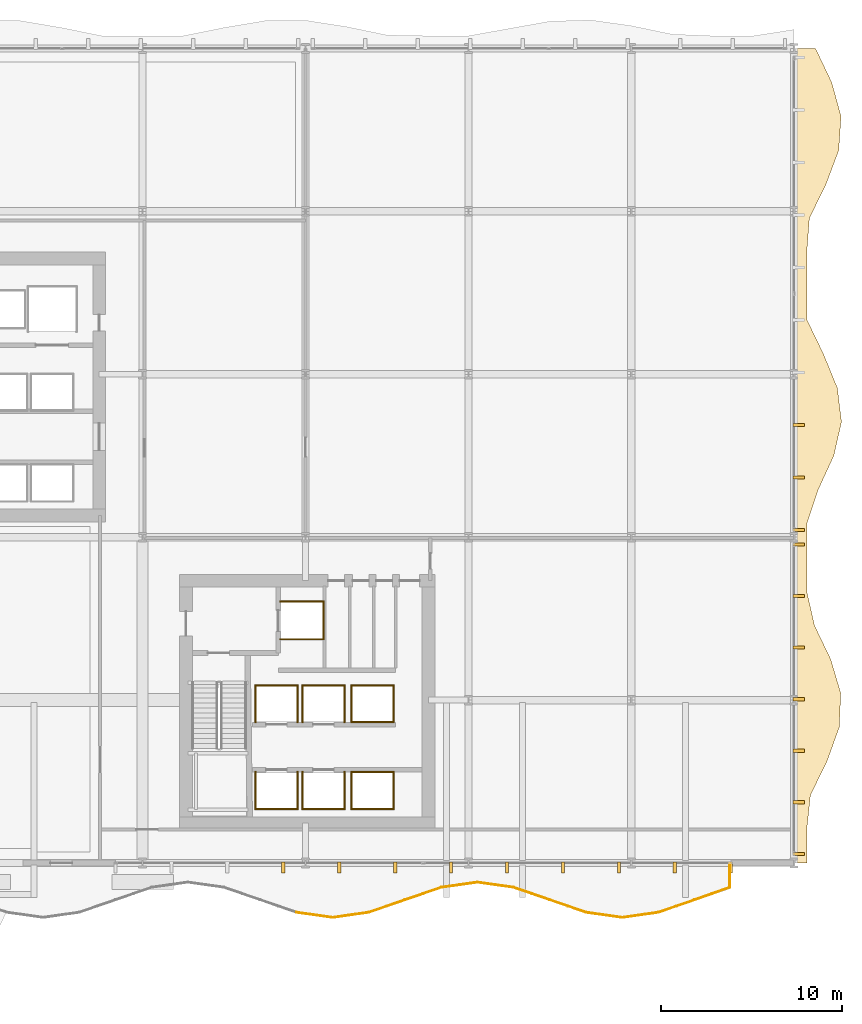
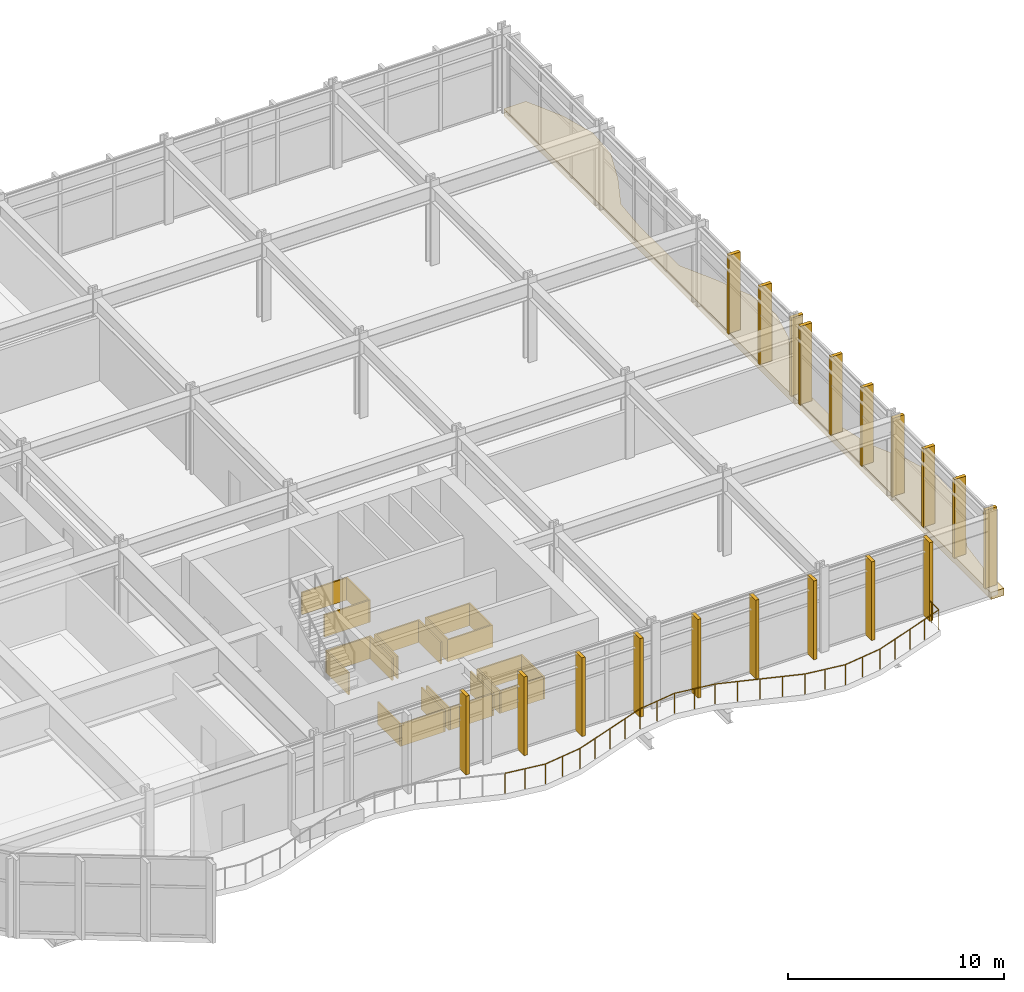
# One storey, part 28 of 31: 43 coverings, 13 railings.
"""IFC4 building model written with IfcOpenShell, lengths in metres."""

import ifcopenshell
import ifcopenshell.guid

model = None  # the IFC model being written
_history = None  # IfcOwnerHistory: only IFC2X3 demands one
_inside = {}  # id of a spatial element -> (the spatial element, [elements in it])
_under = {}  # id of a project, library or spatial element -> (it, [spatial elements below it])
_declared = {}  # id of a project -> (the project, [libraries it declares])
_typed = {}  # id of a type object -> (the type object, [elements of that type])
_made_of = {}  # id of a material, layer set ... -> (it, [elements and type objects made of it])


def new_model(schema):
    """Start an empty IFC model of exactly this schema.

    Asked for "IFC4X3", IfcOpenShell would pick the latest addendum, in which some entities
    have other attributes; the version numbers below select the first issue.
    IFC2X3 requires an IfcOwnerHistory on every rooted entity: one is made here for all.
    """
    global model, _history
    if schema == "IFC4X3":
        model = ifcopenshell.file(schema_version=(4, 3, 0, 0))
    else:
        model = ifcopenshell.file(schema=schema)
    _inside.clear()
    _under.clear()
    _declared.clear()
    _typed.clear()
    _made_of.clear()
    _history = None
    if model.schema == "IFC2X3":
        org = make("IfcOrganization", Name="unknown")
        user = make(
            "IfcPersonAndOrganization",
            ThePerson=make("IfcPerson", FamilyName="unknown"),
            TheOrganization=org,
        )
        app = make(
            "IfcApplication",
            ApplicationDeveloper=org,
            Version="unknown",
            ApplicationFullName="unknown",
            ApplicationIdentifier="unknown",
        )
        _history = make(
            "IfcOwnerHistory",
            OwningUser=user,
            OwningApplication=app,
            ChangeAction="ADDED",
            CreationDate=0,
        )
    return model


def make(cls, **values):
    """One entity of the class cls with the attributes given. An attribute that is None is left unset."""
    return model.create_entity(
        cls, **{name: value for name, value in values.items() if value is not None}
    )


def rooted(cls, **values):
    """An entity with a GlobalId (a new one), such as an element, a storey or a relation."""
    return make(cls, GlobalId=ifcopenshell.guid.new(), OwnerHistory=_history, **values)


def si_unit(unit_type, name, prefix=None):
    """IfcSIUnit, for example si_unit("LENGTHUNIT", "METRE", prefix="MILLI")."""
    return make("IfcSIUnit", UnitType=unit_type, Prefix=prefix, Name=name)


def assignment(units):
    """IfcUnitAssignment: the units of a project."""
    return None if units is None else make("IfcUnitAssignment", Units=units)


def point(xyz):
    """IfcCartesianPoint."""
    return None if xyz is None else make("IfcCartesianPoint", Coordinates=xyz)


def direction(xyz):
    """IfcDirection."""
    return None if xyz is None else make("IfcDirection", DirectionRatios=xyz)


def frame(location, z_axis=None, x_axis=None):
    """IfcAxis2Placement3D, a coordinate frame: its origin and axes. An axis left out is left unset."""
    return make(
        "IfcAxis2Placement3D",
        Location=point(location),
        Axis=direction(z_axis),
        RefDirection=direction(x_axis),
    )


def frame_2d(location, x_axis=None):
    """IfcAxis2Placement2D, a coordinate frame in the plane: its origin and x axis."""
    return make(
        "IfcAxis2Placement2D", Location=point(location), RefDirection=direction(x_axis)
    )


def origin():
    """The frame at (0, 0, 0) with its axes left unset."""
    return frame((0.0, 0.0, 0.0))


def origin_2d():
    """The frame at (0, 0) in the plane with its x axis left unset."""
    return frame_2d((0.0, 0.0))


def place(relative_to, where):
    """IfcLocalPlacement: puts the frame where relative to a parent placement (None: the world)."""
    return make(
        "IfcLocalPlacement", PlacementRelTo=relative_to, RelativePlacement=where
    )


def context(
    kind, dimensions, precision=None, world=None, true_north=None, identifier=None
):
    """IfcGeometricRepresentationContext, for example the 3D "Model" context."""
    return make(
        "IfcGeometricRepresentationContext",
        ContextIdentifier=identifier,
        ContextType=kind,
        CoordinateSpaceDimension=dimensions,
        Precision=precision,
        WorldCoordinateSystem=world,
        TrueNorth=true_north,
    )


def subcontext(parent, identifier, kind, view, scale=None):
    """IfcGeometricRepresentationSubContext, for example "Body" below "Model"."""
    return make(
        "IfcGeometricRepresentationSubContext",
        ContextIdentifier=identifier,
        ContextType=kind,
        ParentContext=parent,
        TargetScale=scale,
        TargetView=view,
    )


def project(units=None, contexts=None):
    """IfcProject with its units and contexts."""
    return rooted(
        "IfcProject",
        Name="project",
        RepresentationContexts=contexts,
        UnitsInContext=assignment(units),
    )


def spatial(cls, under=None, at=None, **own):
    """A site, building, storey or space (cls), placed at a placement, below another one or the project."""
    s = rooted(cls, ObjectPlacement=at, **own)
    if under is not None:
        _under.setdefault(under.id(), (under, []))[1].append(s)
    return s


def polyline(points):
    """IfcPolyline through the points."""
    return make("IfcPolyline", Points=[point(p) for p in points])


def profile(cls, at=None, kind="AREA", **sizes):
    """A parametric profile (cls). Its sizes go by their IFC names, for example OverallWidth=200.0."""
    return make(cls, ProfileType=kind, Position=at, **sizes)


def rectangle(**sizes):
    """IfcRectangleProfileDef."""
    return profile("IfcRectangleProfileDef", **sizes)


def circle(**sizes):
    """IfcCircleProfileDef."""
    return profile("IfcCircleProfileDef", **sizes)


def outline(outer, holes=None, kind="AREA"):
    """IfcArbitraryClosedProfileDef: a profile drawn as a closed curve; with holes, ...WithVoids."""
    if holes is None:
        return make("IfcArbitraryClosedProfileDef", ProfileType=kind, OuterCurve=outer)
    return make(
        "IfcArbitraryProfileDefWithVoids",
        ProfileType=kind,
        OuterCurve=outer,
        InnerCurves=holes,
    )


def extrude(swept, where, along, depth):
    """IfcExtrudedAreaSolid: the profile swept, set in the frame where, extruded along a direction by depth."""
    return make(
        "IfcExtrudedAreaSolid",
        SweptArea=swept,
        Position=where,
        ExtrudedDirection=direction(along),
        Depth=depth,
    )


def shape(context_of_items, identifier, shape_type, items):
    """IfcShapeRepresentation: the items that make up one representation, for example the "Body"."""
    return make(
        "IfcShapeRepresentation",
        ContextOfItems=context_of_items,
        RepresentationIdentifier=identifier,
        RepresentationType=shape_type,
        Items=items,
    )


def material(Name=None, Category=None):
    """IfcMaterial."""
    return make("IfcMaterial", Name=Name, Category=Category)


def layer(
    of_material, thickness, ventilated=None, Name=None, Category=None, Priority=None
):
    """IfcMaterialLayer: one layer of a wall or slab, of a material (None: an air gap)."""
    return make(
        "IfcMaterialLayer",
        Material=of_material,
        LayerThickness=thickness,
        IsVentilated=ventilated,
        Name=Name,
        Category=Category,
        Priority=Priority,
    )


def layer_set(layers, Name=None):
    """IfcMaterialLayerSet."""
    return make("IfcMaterialLayerSet", MaterialLayers=layers, LayerSetName=Name)


def made_of(thing, what):
    """Note that an element or type object is made of a material, layer set ...; save() writes the relation."""
    if what is not None:
        _made_of.setdefault(what.id(), (what, []))[1].append(thing)
    return thing


def type_object(cls, material=None, **own):
    """A type object (cls), such as IfcWallType, which elements share."""
    return made_of(rooted(cls, **own), material)


def element(
    cls,
    number,
    at=None,
    inside=None,
    cuts=None,
    type_object=None,
    material=None,
    context=None,
    identifier="Body",
    shape_type=None,
    held_by="IfcProductDefinitionShape",
    body=None,
    shapes=None,
    **own,
):
    """One element of the class cls, such as IfcWall. Its Tag is "e" and its number.

    at: its placement. inside: the storey or other place that contains it. cuts: it is an
    opening in that element (IfcRelVoidsElement). A single representation is given by context,
    identifier, shape_type and body (its items); several are given by shapes. held_by: the class
    of the entity that holds the representations. save() writes the other relations.
    """
    e = rooted(cls, Tag="e%d" % number, ObjectPlacement=at, **own)
    if body is not None:
        shapes = [shape(context, identifier, shape_type, body)]
    if shapes is not None:
        e.Representation = make(held_by, Representations=shapes)
    if inside is not None:
        _inside.setdefault(inside.id(), (inside, []))[1].append(e)
    if cuts is not None:
        rooted(
            "IfcRelVoidsElement", RelatingBuildingElement=cuts, RelatedOpeningElement=e
        )
    if type_object is not None:
        _typed.setdefault(type_object.id(), (type_object, []))[1].append(e)
    return made_of(e, material)


def aggregate(whole, parts):
    """IfcRelAggregates: a whole, such as a stair, and the parts it consists of."""
    return rooted("IfcRelAggregates", RelatingObject=whole, RelatedObjects=parts)


def save(model, path):
    """Write the relations noted so far, then the file.

    IfcRelAggregates (storeys below a building ...), IfcRelContainedInSpatialStructure (elements
    in a storey), IfcRelDefinesByType, IfcRelAssociatesMaterial and IfcRelDeclares: one each for
    every whole, place, type object, material and project.
    """
    for whole, parts in _under.values():
        aggregate(whole, parts)
    for where, things in _inside.values():
        rooted(
            "IfcRelContainedInSpatialStructure",
            RelatedElements=things,
            RelatingStructure=where,
        )
    for kind, things in _typed.values():
        rooted("IfcRelDefinesByType", RelatedObjects=things, RelatingType=kind)
    for what, things in _made_of.values():
        rooted("IfcRelAssociatesMaterial", RelatedObjects=things, RelatingMaterial=what)
    for by, libraries in _declared.values():
        rooted("IfcRelDeclares", RelatingContext=by, RelatedDefinitions=libraries)
    model.write(path)


model = new_model("IFC4")

# Units and contexts
model_context = context("Model", 3, precision=1e-05, world=origin(), true_north=direction((0.0, 1.0)))
body_context = subcontext(model_context, "Body", "Model", "MODEL_VIEW")
ifc_project = project(units=[si_unit("LENGTHUNIT", "METRE"), si_unit("AREAUNIT", "SQUARE_METRE"), si_unit("VOLUMEUNIT", "CUBIC_METRE"), si_unit("PLANEANGLEUNIT", "RADIAN"), si_unit("MASSUNIT", "GRAM", prefix="KILO")], contexts=[model_context])

# Site, building, storey
site_placement = place(None, origin())
site = spatial("IfcSite", under=ifc_project, at=site_placement, CompositionType="ELEMENT")
building_placement = place(site_placement, origin())
building = spatial("IfcBuilding", under=site, at=building_placement, Name="Solvaryn Broadcast Tower", CompositionType="ELEMENT")
storey_placement = place(building_placement, frame((0.0, 0.0, 26.0)))
storey = spatial("IfcBuildingStorey", under=building, at=storey_placement, Name="L05", CompositionType="ELEMENT", Elevation=26.0)

# Coverings
ifc_material_1 = material(Name="Fire-Rated Gypsum Shaftwall Liner", Category="concrete")
ifc_layer_1 = layer(ifc_material_1, 0.080078125)
ifc_layer_set_1 = layer_set([ifc_layer_1], Name="CV-SHAFT-LINER")
covering_type_1 = type_object("IfcCoveringType", Name="CV-SHAFT-LINER", PredefinedType="CLADDING", material=ifc_layer_set_1)
for number, where, z_axis, x_axis, name in (
    (1, (35.800048828125, 23.43994140625, 0.0), (0.0, 0.0, 1.0), (1.0, 0.0, 0.0), "L05 FL2 Hoistway Shaft Liner North"),
    (2, (35.800048828125, 21.360107421875, 0.0), (0.0, 0.0, 1.0), (1.0, 0.0, 0.0), "L05 FL2 Hoistway Shaft Liner South"),
):
    element("IfcCovering", number, at=place(storey_placement, frame(where, z_axis=z_axis, x_axis=x_axis)), inside=storey, type_object=covering_type_1, Name=name, PredefinedType="CLADDING", context=body_context, shape_type="SweptSolid", body=[
        extrude(rectangle(XDim=2.4599609375, YDim=0.080078125, at=origin_2d()), origin(), (0.0, 0.0, 1.0), 1.25),
    ])
covering_1_placement = place(storey_placement, frame((36.989990234375, 22.39990234375, 0.0), z_axis=(0.0, 0.0, 1.0), x_axis=(1.0, 0.0, 0.0)))
element("IfcCovering", 3, at=covering_1_placement, inside=storey, type_object=covering_type_1, Name="L05 FL2 Hoistway Shaft Liner East", PredefinedType="CLADDING", context=body_context, shape_type="SweptSolid", body=[
    extrude(rectangle(XDim=0.080078125, YDim=2.159912109375, at=origin_2d()), origin(), (0.0, 0.0, 1.0), 1.25),
])
covering_2_placement = place(storey_placement, frame((34.39990234375, 11.985107421875, 0.0), z_axis=(0.0, 0.0, 1.0), x_axis=(1.0, 0.0, 0.0)))
element("IfcCovering", 4, at=covering_2_placement, inside=storey, type_object=covering_type_1, Name="L05 PL1 Hoistway Shaft Liner South", PredefinedType="CLADDING", context=body_context, shape_type="SweptSolid", body=[
    extrude(rectangle(XDim=2.409912109375, YDim=0.080078125, at=origin_2d()), origin(), (0.0, 0.0, 1.0), 1.25),
])
for number, where, z_axis, x_axis, name in (
    (5, (35.56494140625, 13.0, 0.0), (0.0, 0.0, 1.0), (1.0, 0.0, 0.0), "L05 PL1 Hoistway Shaft Liner East"),
    (6, (33.235107421875, 13.0, 0.0), (0.0, 0.0, 1.0), (1.0, 0.0, 0.0), "L05 PL1 Hoistway Shaft Liner West"),
):
    element("IfcCovering", number, at=place(storey_placement, frame(where, z_axis=z_axis, x_axis=x_axis)), inside=storey, type_object=covering_type_1, Name=name, PredefinedType="CLADDING", context=body_context, shape_type="SweptSolid", body=[
        extrude(rectangle(XDim=0.080078125, YDim=2.110107421875, at=origin_2d()), origin(), (0.0, 0.0, 1.0), 1.25),
    ])
covering_3_placement = place(storey_placement, frame((37.0, 11.985107421875, 0.0), z_axis=(0.0, 0.0, 1.0), x_axis=(1.0, 0.0, 0.0)))
element("IfcCovering", 7, at=covering_3_placement, inside=storey, type_object=covering_type_1, Name="L05 PL2 Hoistway Shaft Liner South", PredefinedType="CLADDING", context=body_context, shape_type="SweptSolid", body=[
    extrude(rectangle(XDim=2.409912109375, YDim=0.080078125, at=origin_2d()), origin(), (0.0, 0.0, 1.0), 1.25),
])
for number, where, z_axis, x_axis, name in (
    (8, (38.1650390625, 13.0, 0.0), (0.0, 0.0, 1.0), (1.0, 0.0, 0.0), "L05 PL2 Hoistway Shaft Liner East"),
    (9, (35.8349609375, 13.0, 0.0), (0.0, 0.0, 1.0), (1.0, 0.0, 0.0), "L05 PL2 Hoistway Shaft Liner West"),
):
    element("IfcCovering", number, at=place(storey_placement, frame(where, z_axis=z_axis, x_axis=x_axis)), inside=storey, type_object=covering_type_1, Name=name, PredefinedType="CLADDING", context=body_context, shape_type="SweptSolid", body=[
        extrude(rectangle(XDim=0.080078125, YDim=2.110107421875, at=origin_2d()), origin(), (0.0, 0.0, 1.0), 1.25),
    ])
covering_4_placement = place(storey_placement, frame((34.39990234375, 18.81494140625, 0.0), z_axis=(0.0, 0.0, 1.0), x_axis=(1.0, 0.0, 0.0)))
element("IfcCovering", 10, at=covering_4_placement, inside=storey, type_object=covering_type_1, Name="L05 PL3 Hoistway Shaft Liner North", PredefinedType="CLADDING", context=body_context, shape_type="SweptSolid", body=[
    extrude(rectangle(XDim=2.409912109375, YDim=0.080078125, at=origin_2d()), origin(), (0.0, 0.0, 1.0), 1.25),
])
for number, where, z_axis, x_axis, name in (
    (11, (35.56494140625, 17.800048828125, 0.0), (0.0, 0.0, 1.0), (1.0, 0.0, 0.0), "L05 PL3 Hoistway Shaft Liner East"),
    (12, (33.235107421875, 17.800048828125, 0.0), (0.0, 0.0, 1.0), (1.0, 0.0, 0.0), "L05 PL3 Hoistway Shaft Liner West"),
):
    element("IfcCovering", number, at=place(storey_placement, frame(where, z_axis=z_axis, x_axis=x_axis)), inside=storey, type_object=covering_type_1, Name=name, PredefinedType="CLADDING", context=body_context, shape_type="SweptSolid", body=[
        extrude(rectangle(XDim=0.080078125, YDim=2.110107421875, at=origin_2d()), origin(), (0.0, 0.0, 1.0), 1.25),
    ])
covering_5_placement = place(storey_placement, frame((37.0, 18.81494140625, 0.0), z_axis=(0.0, 0.0, 1.0), x_axis=(1.0, 0.0, 0.0)))
element("IfcCovering", 13, at=covering_5_placement, inside=storey, type_object=covering_type_1, Name="L05 PL4 Hoistway Shaft Liner North", PredefinedType="CLADDING", context=body_context, shape_type="SweptSolid", body=[
    extrude(rectangle(XDim=2.409912109375, YDim=0.080078125, at=origin_2d()), origin(), (0.0, 0.0, 1.0), 1.25),
])
for number, where, z_axis, x_axis, name in (
    (14, (38.1650390625, 17.800048828125, 0.0), (0.0, 0.0, 1.0), (1.0, 0.0, 0.0), "L05 PL4 Hoistway Shaft Liner East"),
    (15, (35.8349609375, 17.800048828125, 0.0), (0.0, 0.0, 1.0), (1.0, 0.0, 0.0), "L05 PL4 Hoistway Shaft Liner West"),
):
    element("IfcCovering", number, at=place(storey_placement, frame(where, z_axis=z_axis, x_axis=x_axis)), inside=storey, type_object=covering_type_1, Name=name, PredefinedType="CLADDING", context=body_context, shape_type="SweptSolid", body=[
        extrude(rectangle(XDim=0.080078125, YDim=2.110107421875, at=origin_2d()), origin(), (0.0, 0.0, 1.0), 1.25),
    ])
for number, where, z_axis, x_axis, name in (
    (16, (39.699951171875, 14.014892578125, 0.0), (0.0, 0.0, 1.0), (1.0, 0.0, 0.0), "L05 PM1 Hoistway Shaft Liner North"),
    (17, (39.699951171875, 11.985107421875, 0.0), (0.0, 0.0, 1.0), (1.0, 0.0, 0.0), "L05 PM1 Hoistway Shaft Liner South"),
):
    element("IfcCovering", number, at=place(storey_placement, frame(where, z_axis=z_axis, x_axis=x_axis)), inside=storey, type_object=covering_type_1, Name=name, PredefinedType="CLADDING", context=body_context, shape_type="SweptSolid", body=[
        extrude(rectangle(XDim=2.409912109375, YDim=0.080078125, at=origin_2d()), origin(), (0.0, 0.0, 1.0), 1.25),
    ])
for number, where, z_axis, x_axis, name in (
    (18, (40.864990234375, 13.0, 0.0), (0.0, 0.0, 1.0), (1.0, 0.0, 0.0), "L05 PM1 Hoistway Shaft Liner East"),
    (19, (38.534912109375, 13.0, 0.0), (0.0, 0.0, 1.0), (1.0, 0.0, 0.0), "L05 PM1 Hoistway Shaft Liner West"),
):
    element("IfcCovering", number, at=place(storey_placement, frame(where, z_axis=z_axis, x_axis=x_axis)), inside=storey, type_object=covering_type_1, Name=name, PredefinedType="CLADDING", context=body_context, shape_type="SweptSolid", body=[
        extrude(rectangle(XDim=0.080078125, YDim=2.110107421875, at=origin_2d()), origin(), (0.0, 0.0, 1.0), 1.25),
    ])
for number, where, z_axis, x_axis, name in (
    (20, (39.699951171875, 18.81494140625, 0.0), (0.0, 0.0, 1.0), (1.0, 0.0, 0.0), "L05 PM2 Hoistway Shaft Liner North"),
    (21, (39.699951171875, 16.784912109375, 0.0), (0.0, 0.0, 1.0), (1.0, 0.0, 0.0), "L05 PM2 Hoistway Shaft Liner South"),
):
    element("IfcCovering", number, at=place(storey_placement, frame(where, z_axis=z_axis, x_axis=x_axis)), inside=storey, type_object=covering_type_1, Name=name, PredefinedType="CLADDING", context=body_context, shape_type="SweptSolid", body=[
        extrude(rectangle(XDim=2.409912109375, YDim=0.080078125, at=origin_2d()), origin(), (0.0, 0.0, 1.0), 1.25),
    ])
for number, where, z_axis, x_axis, name in (
    (22, (40.864990234375, 17.800048828125, 0.0), (0.0, 0.0, 1.0), (1.0, 0.0, 0.0), "L05 PM2 Hoistway Shaft Liner East"),
    (23, (38.534912109375, 17.800048828125, 0.0), (0.0, 0.0, 1.0), (1.0, 0.0, 0.0), "L05 PM2 Hoistway Shaft Liner West"),
):
    element("IfcCovering", number, at=place(storey_placement, frame(where, z_axis=z_axis, x_axis=x_axis)), inside=storey, type_object=covering_type_1, Name=name, PredefinedType="CLADDING", context=body_context, shape_type="SweptSolid", body=[
        extrude(rectangle(XDim=0.080078125, YDim=2.110107421875, at=origin_2d()), origin(), (0.0, 0.0, 1.0), 1.25),
    ])
ifc_material_2 = material(Name="Extruded Architectural Terracotta Fin", Category="masonry")
ifc_layer_2 = layer(ifc_material_2, 0.179931640625)
ifc_layer_set_2 = layer_set([ifc_layer_2], Name="CV-TC-FIN")
covering_type_2 = type_object("IfcCoveringType", Name="CV-TC-FIN", PredefinedType="USERDEFINED", material=ifc_layer_set_2)
for number, where, z_axis, x_axis, name in (
    (24, (59.5, 8.75, 0.0), (0.0, 0.0, 1.0), (1.0, 0.0, 0.0), "L05 Terracotta Vertical Fin FIN-POD-L05-S1-00"),
    (25, (56.4091796875, 8.75, 0.0), (0.0, 0.0, 1.0), (1.0, 0.0, 0.0), "L05 Terracotta Vertical Fin FIN-POD-L05-S1-01"),
    (26, (53.318115234375, 8.75, 0.0), (0.0, 0.0, 1.0), (1.0, 0.0, 0.0), "L05 Terracotta Vertical Fin FIN-POD-L05-S1-02"),
    (27, (50.227294921875, 8.75, 0.0), (0.0, 0.0, 1.0), (1.0, 0.0, 0.0), "L05 Terracotta Vertical Fin FIN-POD-L05-S1-03"),
    (28, (47.136474609375, 8.75, 0.0), (0.0, 0.0, 1.0), (1.0, 0.0, 0.0), "L05 Terracotta Vertical Fin FIN-POD-L05-S1-04"),
    (29, (44.04541015625, 8.75, 0.0), (0.0, 0.0, 1.0), (1.0, 0.0, 0.0), "L05 Terracotta Vertical Fin FIN-POD-L05-S1-05"),
    (30, (40.95458984375, 8.75, 0.0), (0.0, 0.0, 1.0), (1.0, 0.0, 0.0), "L05 Terracotta Vertical Fin FIN-POD-L05-S1-06"),
    (31, (37.863525390625, 8.75, 0.0), (0.0, 0.0, 1.0), (1.0, 0.0, 0.0), "L05 Terracotta Vertical Fin FIN-POD-L05-S1-07"),
    (32, (34.772705078125, 8.75, 0.0), (0.0, 0.0, 1.0), (1.0, 0.0, 0.0), "L05 Terracotta Vertical Fin FIN-POD-L05-S1-08"),
):
    element("IfcCovering", number, at=place(storey_placement, frame(where, z_axis=z_axis, x_axis=x_axis)), inside=storey, type_object=covering_type_2, Name=name, ObjectType="FIN", PredefinedType="USERDEFINED", context=body_context, shape_type="SweptSolid", body=[
        extrude(rectangle(XDim=0.179931640625, YDim=0.6201171875, at=origin_2d()), origin(), (0.0, 0.0, 1.0), 4.43994140625),
    ])
for number, where, z_axis, x_axis, name in (
    (33, (63.25, 33.199951171875, 0.0), (0.0, 0.0, 1.0), (1.0, 0.0, 0.0), "L05 Terracotta Vertical Fin FIN-POD-L05-E1-07"),
    (34, (63.25, 30.300048828125, 0.0), (0.0, 0.0, 1.0), (1.0, 0.0, 0.0), "L05 Terracotta Vertical Fin FIN-POD-L05-E1-08"),
    (35, (63.25, 27.39990234375, 0.0), (0.0, 0.0, 1.0), (1.0, 0.0, 0.0), "L05 Terracotta Vertical Fin FIN-POD-L05-E1-09"),
    (36, (63.25, 26.60009765625, 0.0), (0.0, 0.0, 1.0), (1.0, 0.0, 0.0), "L05 Terracotta Vertical Fin FIN-POD-L05-E2-00"),
    (37, (63.25, 23.75, 0.0), (0.0, 0.0, 1.0), (1.0, 0.0, 0.0), "L05 Terracotta Vertical Fin FIN-POD-L05-E2-01"),
    (38, (63.25, 20.89990234375, 0.0), (0.0, 0.0, 1.0), (1.0, 0.0, 0.0), "L05 Terracotta Vertical Fin FIN-POD-L05-E2-02"),
    (39, (63.25, 18.050048828125, 0.0), (0.0, 0.0, 1.0), (1.0, 0.0, 0.0), "L05 Terracotta Vertical Fin FIN-POD-L05-E2-03"),
    (40, (63.25, 15.199951171875, 0.0), (0.0, 0.0, 1.0), (1.0, 0.0, 0.0), "L05 Terracotta Vertical Fin FIN-POD-L05-E2-04"),
    (41, (63.25, 12.35009765625, 0.0), (0.0, 0.0, 1.0), (1.0, 0.0, 0.0), "L05 Terracotta Vertical Fin FIN-POD-L05-E2-05"),
    (42, (63.25, 9.5, 0.0), (0.0, 0.0, 1.0), (1.0, 0.0, 0.0), "L05 Terracotta Vertical Fin FIN-POD-L05-E2-06"),
):
    element("IfcCovering", number, at=place(storey_placement, frame(where, z_axis=z_axis, x_axis=x_axis)), inside=storey, type_object=covering_type_2, Name=name, ObjectType="FIN", PredefinedType="USERDEFINED", context=body_context, shape_type="SweptSolid", body=[
        extrude(rectangle(XDim=0.6201171875, YDim=0.179931640625, at=origin_2d()), origin(), (0.0, 0.0, 1.0), 4.43994140625),
    ])
ifc_material_3 = material(Name="Sculpted Architectural Terracotta Wave Fascia", Category="masonry")
ifc_layer_3 = layer(ifc_material_3, 0.340087890625)
ifc_layer_set_3 = layer_set([ifc_layer_3], Name="CV-WAVE-TRAY")
covering_type_3 = type_object("IfcCoveringType", Name="CV-WAVE-TRAY", PredefinedType="CLADDING", material=ifc_layer_set_3)
covering_6_placement = place(storey_placement, frame((0.0, 0.0, -0.360107421875)))
element("IfcCovering", 43, at=covering_6_placement, inside=storey, type_object=covering_type_3, Name="L05 Spreading Wave Tray Apron E", PredefinedType="CLADDING", context=body_context, shape_type="SweptSolid", body=[
    extrude(outline(polyline([(63.699951171875, 9.0), (63.699951171875, 10.875), (63.90087890625, 12.75), (64.819091796875, 14.625), (65.493896484375, 16.5), (65.575927734375, 18.375), (65.02294921875, 20.25), (64.1220703125, 22.125), (63.699951171875, 24.0), (63.699951171875, 25.875), (63.699951171875, 27.75), (64.3291015625, 29.625), (65.19091796875, 31.5), (65.616943359375, 33.375), (65.385986328125, 35.25), (64.618896484375, 37.125), (63.7119140625, 39.0), (63.699951171875, 40.875), (63.699951171875, 42.75), (63.843017578125, 44.625), (64.760009765625, 46.5), (65.464111328125, 48.375), (65.592041015625, 50.25), (65.075927734375, 52.125), (64.18408203125, 54.0), (63.0, 54.0), (63.0, 52.125), (63.0, 50.25), (63.0, 48.375), (63.0, 46.5), (63.0, 44.625), (63.0, 42.75), (63.0, 40.875), (63.0, 39.0), (63.0, 37.125), (63.0, 35.25), (63.0, 33.375), (63.0, 31.5), (63.0, 29.625), (63.0, 27.75), (63.0, 25.875), (63.0, 24.0), (63.0, 22.125), (63.0, 20.25), (63.0, 18.375), (63.0, 16.5), (63.0, 14.625), (63.0, 12.75), (63.0, 10.875), (63.0, 9.0), (63.699951171875, 9.0)])), origin(), (0.0, 0.0, 1.0), 0.400146484375),
])

# Railings
ifc_material_4 = material(Name="Stainless Steel and Laminated Glass Guard", Category="steel")
railing_type = type_object("IfcRailingType", Name="RL-TER-1150", PredefinedType="BALUSTRADE", material=ifc_material_4)
railing_1_placement = place(storey_placement, frame((35.5, 6.2705078125, 0.0)))
element("IfcRailing", 44, at=railing_1_placement, inside=storey, type_object=railing_type, Name="L05 Terrace Guard TS05S-14", PredefinedType="BALUSTRADE", context=body_context, shape_type="SweptSolid", body=[
    extrude(circle(Radius=0.02392578125, at=origin_2d()), frame((0.0, 0.0, 1.1259765625), z_axis=(0.989971234249, -0.141269088481, 0.0), x_axis=(0.141269088481, 0.989971234249, 0.0)), (0.0, 0.0, 1.0), 2.020263671875),
    extrude(circle(Radius=0.02099609375, at=origin_2d()), origin(), (0.0, 0.0, 1.0), 1.101806640625),
    extrude(circle(Radius=0.02099609375, at=origin_2d()), frame((1.0, -0.142578125, 0.0)), (0.0, 0.0, 1.0), 1.101806640625),
    extrude(circle(Radius=0.02099609375, at=origin_2d()), frame((2.0, -0.285400390625, 0.0)), (0.0, 0.0, 1.0), 1.101806640625),
])
railing_2_placement = place(storey_placement, frame((37.5, 5.985107421875, 0.0)))
element("IfcRailing", 45, at=railing_2_placement, inside=storey, type_object=railing_type, Name="L05 Terrace Guard TS05S-15", PredefinedType="BALUSTRADE", context=body_context, shape_type="SweptSolid", body=[
    extrude(circle(Radius=0.02392578125, at=origin_2d()), frame((0.0, 0.0, 1.1259765625), z_axis=(0.989971234249, 0.141269088481, 0.0), x_axis=(-0.141269088481, 0.989971234249, 0.0)), (0.0, 0.0, 1.0), 2.020263671875),
    extrude(circle(Radius=0.02099609375, at=origin_2d()), origin(), (0.0, 0.0, 1.0), 1.101806640625),
    extrude(circle(Radius=0.02099609375, at=origin_2d()), frame((1.0, 0.142578125, 0.0)), (0.0, 0.0, 1.0), 1.101806640625),
    extrude(circle(Radius=0.02099609375, at=origin_2d()), frame((2.0, 0.285400390625, 0.0)), (0.0, 0.0, 1.0), 1.101806640625),
])
for number, where, name in (
    (46, (39.5, 6.2705078125, 0.0), "L05 Terrace Guard TS05S-16"),
    (47, (41.5, 6.9599609375, 0.0), "L05 Terrace Guard TS05S-17"),
):
    element("IfcRailing", number, at=place(storey_placement, frame(where)), inside=storey, type_object=railing_type, Name=name, PredefinedType="BALUSTRADE", context=body_context, shape_type="SweptSolid", body=[
        extrude(circle(Radius=0.02392578125, at=origin_2d()), frame((0.0, 0.0, 1.1259765625), z_axis=(0.945402411711, 0.325905323568, 0.0), x_axis=(-0.325905323568, 0.945402411711, 0.0)), (0.0, 0.0, 1.0), 2.115478515625),
        extrude(circle(Radius=0.02099609375, at=origin_2d()), origin(), (0.0, 0.0, 1.0), 1.101806640625),
        extrude(circle(Radius=0.02099609375, at=origin_2d()), frame((1.0, 0.3447265625, 0.0)), (0.0, 0.0, 1.0), 1.101806640625),
        extrude(circle(Radius=0.02099609375, at=origin_2d()), frame((2.0, 0.689453125, 0.0)), (0.0, 0.0, 1.0), 1.101806640625),
    ])
railing_3_placement = place(storey_placement, frame((43.5, 7.6494140625, 0.0)))
element("IfcRailing", 48, at=railing_3_placement, inside=storey, type_object=railing_type, Name="L05 Terrace Guard TS05S-18", PredefinedType="BALUSTRADE", context=body_context, shape_type="SweptSolid", body=[
    extrude(circle(Radius=0.02392578125, at=origin_2d()), frame((0.0, 0.0, 1.1259765625), z_axis=(0.989954326844, 0.141387519825, 0.0), x_axis=(-0.141387519825, 0.989954326844, 0.0)), (0.0, 0.0, 1.0), 2.020263671875),
    extrude(circle(Radius=0.02099609375, at=origin_2d()), origin(), (0.0, 0.0, 1.0), 1.101806640625),
    extrude(circle(Radius=0.02099609375, at=origin_2d()), frame((1.0, 0.142822265625, 0.0)), (0.0, 0.0, 1.0), 1.101806640625),
    extrude(circle(Radius=0.02099609375, at=origin_2d()), frame((2.0, 0.28564453125, 0.0)), (0.0, 0.0, 1.0), 1.101806640625),
])
railing_4_placement = place(storey_placement, frame((45.5, 7.93505859375, 0.0)))
element("IfcRailing", 49, at=railing_4_placement, inside=storey, type_object=railing_type, Name="L05 Terrace Guard TS05S-19", PredefinedType="BALUSTRADE", context=body_context, shape_type="SweptSolid", body=[
    extrude(circle(Radius=0.02392578125, at=origin_2d()), frame((0.0, 0.0, 1.1259765625), z_axis=(0.989954326844, -0.141387519825, 0.0), x_axis=(0.141387519825, 0.989954326844, 0.0)), (0.0, 0.0, 1.0), 2.020263671875),
    extrude(circle(Radius=0.02099609375, at=origin_2d()), origin(), (0.0, 0.0, 1.0), 1.101806640625),
    extrude(circle(Radius=0.02099609375, at=origin_2d()), frame((1.0, -0.142822265625, 0.0)), (0.0, 0.0, 1.0), 1.101806640625),
    extrude(circle(Radius=0.02099609375, at=origin_2d()), frame((2.0, -0.28564453125, 0.0)), (0.0, 0.0, 1.0), 1.101806640625),
])
for number, where, name in (
    (50, (47.5, 7.6494140625, 0.0), "L05 Terrace Guard TS05S-20"),
    (51, (49.5, 6.9599609375, 0.0), "L05 Terrace Guard TS05S-21"),
):
    element("IfcRailing", number, at=place(storey_placement, frame(where)), inside=storey, type_object=railing_type, Name=name, PredefinedType="BALUSTRADE", context=body_context, shape_type="SweptSolid", body=[
        extrude(circle(Radius=0.02392578125, at=origin_2d()), frame((0.0, 0.0, 1.1259765625), z_axis=(0.945402411711, -0.325905323568, 0.0), x_axis=(0.325905323568, 0.945402411711, 0.0)), (0.0, 0.0, 1.0), 2.115478515625),
        extrude(circle(Radius=0.02099609375, at=origin_2d()), origin(), (0.0, 0.0, 1.0), 1.101806640625),
        extrude(circle(Radius=0.02099609375, at=origin_2d()), frame((1.0, -0.3447265625, 0.0)), (0.0, 0.0, 1.0), 1.101806640625),
        extrude(circle(Radius=0.02099609375, at=origin_2d()), frame((2.0, -0.689453125, 0.0)), (0.0, 0.0, 1.0), 1.101806640625),
    ])
railing_5_placement = place(storey_placement, frame((51.5, 6.2705078125, 0.0)))
element("IfcRailing", 52, at=railing_5_placement, inside=storey, type_object=railing_type, Name="L05 Terrace Guard TS05S-22", PredefinedType="BALUSTRADE", context=body_context, shape_type="SweptSolid", body=[
    extrude(circle(Radius=0.02392578125, at=origin_2d()), frame((0.0, 0.0, 1.1259765625), z_axis=(0.989971234249, -0.141269088481, 0.0), x_axis=(0.141269088481, 0.989971234249, 0.0)), (0.0, 0.0, 1.0), 2.020263671875),
    extrude(circle(Radius=0.02099609375, at=origin_2d()), origin(), (0.0, 0.0, 1.0), 1.101806640625),
    extrude(circle(Radius=0.02099609375, at=origin_2d()), frame((1.0, -0.142578125, 0.0)), (0.0, 0.0, 1.0), 1.101806640625),
    extrude(circle(Radius=0.02099609375, at=origin_2d()), frame((2.0, -0.285400390625, 0.0)), (0.0, 0.0, 1.0), 1.101806640625),
])
railing_6_placement = place(storey_placement, frame((53.5, 5.985107421875, 0.0)))
element("IfcRailing", 53, at=railing_6_placement, inside=storey, type_object=railing_type, Name="L05 Terrace Guard TS05S-23", PredefinedType="BALUSTRADE", context=body_context, shape_type="SweptSolid", body=[
    extrude(circle(Radius=0.02392578125, at=origin_2d()), frame((0.0, 0.0, 1.1259765625), z_axis=(0.989971234249, 0.141269088481, 0.0), x_axis=(-0.141269088481, 0.989971234249, 0.0)), (0.0, 0.0, 1.0), 2.020263671875),
    extrude(circle(Radius=0.02099609375, at=origin_2d()), origin(), (0.0, 0.0, 1.0), 1.101806640625),
    extrude(circle(Radius=0.02099609375, at=origin_2d()), frame((1.0, 0.142578125, 0.0)), (0.0, 0.0, 1.0), 1.101806640625),
    extrude(circle(Radius=0.02099609375, at=origin_2d()), frame((2.0, 0.285400390625, 0.0)), (0.0, 0.0, 1.0), 1.101806640625),
])
railing_7_placement = place(storey_placement, frame((55.5, 6.2705078125, 0.0)))
element("IfcRailing", 54, at=railing_7_placement, inside=storey, type_object=railing_type, Name="L05 Terrace Guard TS05S-24", PredefinedType="BALUSTRADE", context=body_context, shape_type="SweptSolid", body=[
    extrude(circle(Radius=0.02392578125, at=origin_2d()), frame((0.0, 0.0, 1.1259765625), z_axis=(0.945402411711, 0.325905323568, 0.0), x_axis=(-0.325905323568, 0.945402411711, 0.0)), (0.0, 0.0, 1.0), 2.115478515625),
    extrude(circle(Radius=0.02099609375, at=origin_2d()), origin(), (0.0, 0.0, 1.0), 1.101806640625),
    extrude(circle(Radius=0.02099609375, at=origin_2d()), frame((1.0, 0.3447265625, 0.0)), (0.0, 0.0, 1.0), 1.101806640625),
    extrude(circle(Radius=0.02099609375, at=origin_2d()), frame((2.0, 0.689453125, 0.0)), (0.0, 0.0, 1.0), 1.101806640625),
])
railing_8_placement = place(storey_placement, frame((57.5, 6.9599609375, 0.0)))
element("IfcRailing", 55, at=railing_8_placement, inside=storey, type_object=railing_type, Name="L05 Terrace Guard TS05S-25", PredefinedType="BALUSTRADE", context=body_context, shape_type="SweptSolid", body=[
    extrude(circle(Radius=0.02392578125, at=origin_2d()), frame((0.0, 0.0, 1.1259765625), z_axis=(0.942261261817, 0.334878656352, 0.0), x_axis=(-0.334878656352, 0.942261261817, 0.0)), (0.0, 0.0, 1.0), 2.058837890625),
    extrude(circle(Radius=0.02099609375, at=origin_2d()), origin(), (0.0, 0.0, 1.0), 1.101806640625),
    extrude(circle(Radius=0.02099609375, at=origin_2d()), frame((0.969970703125, 0.3447265625, 0.0)), (0.0, 0.0, 1.0), 1.101806640625),
    extrude(circle(Radius=0.02099609375, at=origin_2d()), frame((1.93994140625, 0.689453125, 0.0)), (0.0, 0.0, 1.0), 1.101806640625),
])
railing_9_placement = place(storey_placement, frame((59.43994140625, 7.6494140625, 0.0)))
element("IfcRailing", 56, at=railing_9_placement, inside=storey, type_object=railing_type, Name="L05 Terrace Guard TS05S-26", PredefinedType="BALUSTRADE", context=body_context, shape_type="SweptSolid", body=[
    extrude(circle(Radius=0.02392578125, at=origin_2d()), frame((0.0, 0.0, 1.1259765625), z_axis=(0.0, 1.0, 0.0), x_axis=(-1.0, 0.0, 0.0)), (0.0, 0.0, 1.0), 1.29052734375),
    extrude(circle(Radius=0.02099609375, at=origin_2d()), origin(), (0.0, 0.0, 1.0), 1.101806640625),
    extrude(circle(Radius=0.02099609375, at=origin_2d()), frame((0.0, 0.645263671875, 0.0)), (0.0, 0.0, 1.0), 1.101806640625),
    extrude(circle(Radius=0.02099609375, at=origin_2d()), frame((0.0, 1.29052734375, 0.0)), (0.0, 0.0, 1.0), 1.101806640625),
])

save(model, "model.ifc")
